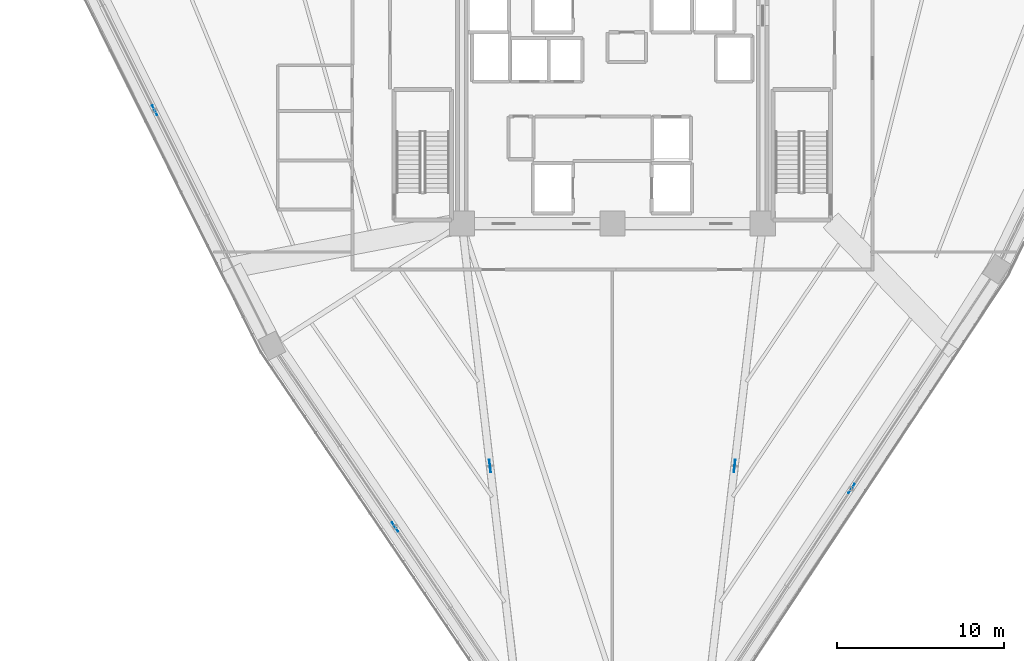
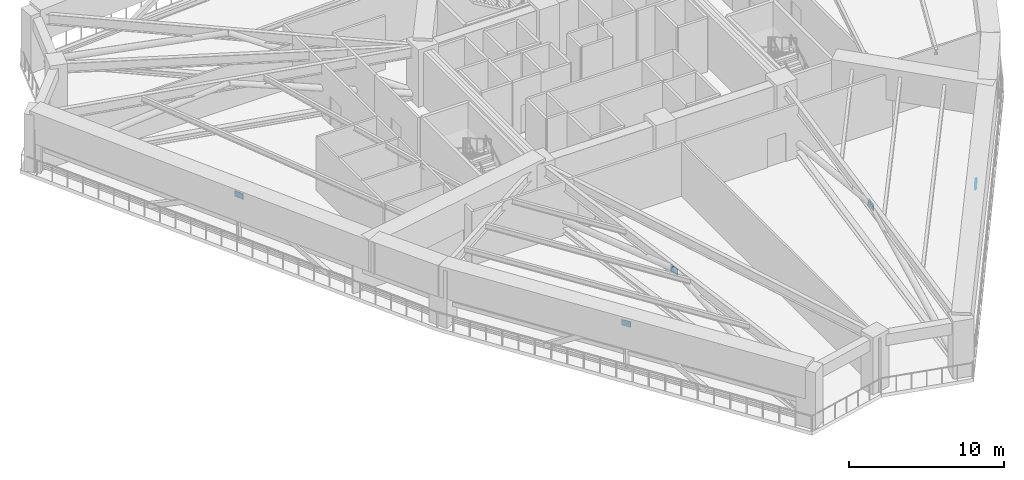
# One storey, part 13 of 27: 5 plates.
"""IFC4 building model written with IfcOpenShell, lengths in metres."""

import ifcopenshell
import ifcopenshell.guid

model = None  # the IFC model being written
_history = None  # IfcOwnerHistory: only IFC2X3 demands one
_inside = {}  # id of a spatial element -> (the spatial element, [elements in it])
_under = {}  # id of a project, library or spatial element -> (it, [spatial elements below it])
_declared = {}  # id of a project -> (the project, [libraries it declares])
_typed = {}  # id of a type object -> (the type object, [elements of that type])
_made_of = {}  # id of a material, layer set ... -> (it, [elements and type objects made of it])


def new_model(schema):
    """Start an empty IFC model of exactly this schema.

    Asked for "IFC4X3", IfcOpenShell would pick the latest addendum, in which some entities
    have other attributes; the version numbers below select the first issue.
    IFC2X3 requires an IfcOwnerHistory on every rooted entity: one is made here for all.
    """
    global model, _history
    if schema == "IFC4X3":
        model = ifcopenshell.file(schema_version=(4, 3, 0, 0))
    else:
        model = ifcopenshell.file(schema=schema)
    _inside.clear()
    _under.clear()
    _declared.clear()
    _typed.clear()
    _made_of.clear()
    _history = None
    if model.schema == "IFC2X3":
        org = make("IfcOrganization", Name="unknown")
        user = make(
            "IfcPersonAndOrganization",
            ThePerson=make("IfcPerson", FamilyName="unknown"),
            TheOrganization=org,
        )
        app = make(
            "IfcApplication",
            ApplicationDeveloper=org,
            Version="unknown",
            ApplicationFullName="unknown",
            ApplicationIdentifier="unknown",
        )
        _history = make(
            "IfcOwnerHistory",
            OwningUser=user,
            OwningApplication=app,
            ChangeAction="ADDED",
            CreationDate=0,
        )
    return model


def make(cls, **values):
    """One entity of the class cls with the attributes given. An attribute that is None is left unset."""
    return model.create_entity(
        cls, **{name: value for name, value in values.items() if value is not None}
    )


def rooted(cls, **values):
    """An entity with a GlobalId (a new one), such as an element, a storey or a relation."""
    return make(cls, GlobalId=ifcopenshell.guid.new(), OwnerHistory=_history, **values)


def si_unit(unit_type, name, prefix=None):
    """IfcSIUnit, for example si_unit("LENGTHUNIT", "METRE", prefix="MILLI")."""
    return make("IfcSIUnit", UnitType=unit_type, Prefix=prefix, Name=name)


def assignment(units):
    """IfcUnitAssignment: the units of a project."""
    return None if units is None else make("IfcUnitAssignment", Units=units)


def point(xyz):
    """IfcCartesianPoint."""
    return None if xyz is None else make("IfcCartesianPoint", Coordinates=xyz)


def direction(xyz):
    """IfcDirection."""
    return None if xyz is None else make("IfcDirection", DirectionRatios=xyz)


def frame(location, z_axis=None, x_axis=None):
    """IfcAxis2Placement3D, a coordinate frame: its origin and axes. An axis left out is left unset."""
    return make(
        "IfcAxis2Placement3D",
        Location=point(location),
        Axis=direction(z_axis),
        RefDirection=direction(x_axis),
    )


def frame_2d(location, x_axis=None):
    """IfcAxis2Placement2D, a coordinate frame in the plane: its origin and x axis."""
    return make(
        "IfcAxis2Placement2D", Location=point(location), RefDirection=direction(x_axis)
    )


def origin():
    """The frame at (0, 0, 0) with its axes left unset."""
    return frame((0.0, 0.0, 0.0))


def origin_2d():
    """The frame at (0, 0) in the plane with its x axis left unset."""
    return frame_2d((0.0, 0.0))


def place(relative_to, where):
    """IfcLocalPlacement: puts the frame where relative to a parent placement (None: the world)."""
    return make(
        "IfcLocalPlacement", PlacementRelTo=relative_to, RelativePlacement=where
    )


def context(
    kind, dimensions, precision=None, world=None, true_north=None, identifier=None
):
    """IfcGeometricRepresentationContext, for example the 3D "Model" context."""
    return make(
        "IfcGeometricRepresentationContext",
        ContextIdentifier=identifier,
        ContextType=kind,
        CoordinateSpaceDimension=dimensions,
        Precision=precision,
        WorldCoordinateSystem=world,
        TrueNorth=true_north,
    )


def subcontext(parent, identifier, kind, view, scale=None):
    """IfcGeometricRepresentationSubContext, for example "Body" below "Model"."""
    return make(
        "IfcGeometricRepresentationSubContext",
        ContextIdentifier=identifier,
        ContextType=kind,
        ParentContext=parent,
        TargetScale=scale,
        TargetView=view,
    )


def project(units=None, contexts=None):
    """IfcProject with its units and contexts."""
    return rooted(
        "IfcProject",
        Name="project",
        RepresentationContexts=contexts,
        UnitsInContext=assignment(units),
    )


def spatial(cls, under=None, at=None, **own):
    """A site, building, storey or space (cls), placed at a placement, below another one or the project."""
    s = rooted(cls, ObjectPlacement=at, **own)
    if under is not None:
        _under.setdefault(under.id(), (under, []))[1].append(s)
    return s


def profile(cls, at=None, kind="AREA", **sizes):
    """A parametric profile (cls). Its sizes go by their IFC names, for example OverallWidth=200.0."""
    return make(cls, ProfileType=kind, Position=at, **sizes)


def rectangle(**sizes):
    """IfcRectangleProfileDef."""
    return profile("IfcRectangleProfileDef", **sizes)


def extrude(swept, where, along, depth):
    """IfcExtrudedAreaSolid: the profile swept, set in the frame where, extruded along a direction by depth."""
    return make(
        "IfcExtrudedAreaSolid",
        SweptArea=swept,
        Position=where,
        ExtrudedDirection=direction(along),
        Depth=depth,
    )


def shape(context_of_items, identifier, shape_type, items):
    """IfcShapeRepresentation: the items that make up one representation, for example the "Body"."""
    return make(
        "IfcShapeRepresentation",
        ContextOfItems=context_of_items,
        RepresentationIdentifier=identifier,
        RepresentationType=shape_type,
        Items=items,
    )


def source(mapping_origin, context_of_items, identifier, shape_type, items):
    """IfcRepresentationMap: a shape defined once, which mapped items show again and again."""
    return make(
        "IfcRepresentationMap",
        MappingOrigin=mapping_origin,
        MappedRepresentation=shape(context_of_items, identifier, shape_type, items),
    )


def transform(
    local_origin,
    x_axis=None,
    y_axis=None,
    z_axis=None,
    scale=None,
    scale2=None,
    scale3=None,
    uniform=True,
):
    """IfcCartesianTransformationOperator3D, or its non-uniform kind. x_axis, y_axis, z_axis: its Axis1, 2, 3."""
    if uniform:
        return make(
            "IfcCartesianTransformationOperator3D",
            Axis1=direction(x_axis),
            Axis2=direction(y_axis),
            LocalOrigin=point(local_origin),
            Scale=scale,
            Axis3=direction(z_axis),
        )
    return make(
        "IfcCartesianTransformationOperator3DnonUniform",
        Axis1=direction(x_axis),
        Axis2=direction(y_axis),
        LocalOrigin=point(local_origin),
        Scale=scale,
        Axis3=direction(z_axis),
        Scale2=scale2,
        Scale3=scale3,
    )


def mapped(mapping_source, mapping_target):
    """IfcMappedItem: shows the shape of a source again, moved by a transform."""
    return make(
        "IfcMappedItem", MappingSource=mapping_source, MappingTarget=mapping_target
    )


def material(Name=None, Category=None):
    """IfcMaterial."""
    return make("IfcMaterial", Name=Name, Category=Category)


def layer(
    of_material, thickness, ventilated=None, Name=None, Category=None, Priority=None
):
    """IfcMaterialLayer: one layer of a wall or slab, of a material (None: an air gap)."""
    return make(
        "IfcMaterialLayer",
        Material=of_material,
        LayerThickness=thickness,
        IsVentilated=ventilated,
        Name=Name,
        Category=Category,
        Priority=Priority,
    )


def layer_set(layers, Name=None):
    """IfcMaterialLayerSet."""
    return make("IfcMaterialLayerSet", MaterialLayers=layers, LayerSetName=Name)


def made_of(thing, what):
    """Note that an element or type object is made of a material, layer set ...; save() writes the relation."""
    if what is not None:
        _made_of.setdefault(what.id(), (what, []))[1].append(thing)
    return thing


def type_object(cls, material=None, **own):
    """A type object (cls), such as IfcWallType, which elements share."""
    return made_of(rooted(cls, **own), material)


def element(
    cls,
    number,
    at=None,
    inside=None,
    cuts=None,
    type_object=None,
    material=None,
    context=None,
    identifier="Body",
    shape_type=None,
    held_by="IfcProductDefinitionShape",
    body=None,
    shapes=None,
    **own,
):
    """One element of the class cls, such as IfcWall. Its Tag is "e" and its number.

    at: its placement. inside: the storey or other place that contains it. cuts: it is an
    opening in that element (IfcRelVoidsElement). A single representation is given by context,
    identifier, shape_type and body (its items); several are given by shapes. held_by: the class
    of the entity that holds the representations. save() writes the other relations.
    """
    e = rooted(cls, Tag="e%d" % number, ObjectPlacement=at, **own)
    if body is not None:
        shapes = [shape(context, identifier, shape_type, body)]
    if shapes is not None:
        e.Representation = make(held_by, Representations=shapes)
    if inside is not None:
        _inside.setdefault(inside.id(), (inside, []))[1].append(e)
    if cuts is not None:
        rooted(
            "IfcRelVoidsElement", RelatingBuildingElement=cuts, RelatedOpeningElement=e
        )
    if type_object is not None:
        _typed.setdefault(type_object.id(), (type_object, []))[1].append(e)
    return made_of(e, material)


def aggregate(whole, parts):
    """IfcRelAggregates: a whole, such as a stair, and the parts it consists of."""
    return rooted("IfcRelAggregates", RelatingObject=whole, RelatedObjects=parts)


def save(model, path):
    """Write the relations noted so far, then the file.

    IfcRelAggregates (storeys below a building ...), IfcRelContainedInSpatialStructure (elements
    in a storey), IfcRelDefinesByType, IfcRelAssociatesMaterial and IfcRelDeclares: one each for
    every whole, place, type object, material and project.
    """
    for whole, parts in _under.values():
        aggregate(whole, parts)
    for where, things in _inside.values():
        rooted(
            "IfcRelContainedInSpatialStructure",
            RelatedElements=things,
            RelatingStructure=where,
        )
    for kind, things in _typed.values():
        rooted("IfcRelDefinesByType", RelatedObjects=things, RelatingType=kind)
    for what, things in _made_of.values():
        rooted("IfcRelAssociatesMaterial", RelatedObjects=things, RelatingMaterial=what)
    for by, libraries in _declared.values():
        rooted("IfcRelDeclares", RelatingContext=by, RelatedDefinitions=libraries)
    model.write(path)


model = new_model("IFC4")

# Units and contexts
model_context = context("Model", 3, precision=1e-05, world=origin(), true_north=direction((0.0, 1.0)))
body_context = subcontext(model_context, "Body", "Model", "MODEL_VIEW")
ifc_project = project(units=[si_unit("LENGTHUNIT", "METRE"), si_unit("AREAUNIT", "SQUARE_METRE"), si_unit("VOLUMEUNIT", "CUBIC_METRE"), si_unit("PLANEANGLEUNIT", "RADIAN"), si_unit("MASSUNIT", "GRAM", prefix="KILO")], contexts=[model_context])

# Site, building, storey
site_placement = place(None, origin())
site = spatial("IfcSite", under=ifc_project, at=site_placement, CompositionType="ELEMENT")
building_placement = place(site_placement, origin())
building = spatial("IfcBuilding", under=site, at=building_placement, Name="Liaohun Quay Tower", CompositionType="ELEMENT")
storey_placement = place(building_placement, frame((0.0, 0.0, 185.25)))
storey = spatial("IfcBuildingStorey", under=building, at=storey_placement, Name="L48", CompositionType="ELEMENT", Elevation=185.25)

# Plates
ifc_material = material(Name="Steel Q420D outrigger node gusset plate", Category="steel")
ifc_layer = layer(ifc_material, 0.0400390625, Name="Steel Q420D outrigger node gusset plate", Category="steel")
ifc_layer_set = layer_set([ifc_layer], Name="Steel Q420D outrigger node gusset plate")
plate_type = type_object("IfcPlateType", Name="PLT-GUS-OUT", PredefinedType="USERDEFINED", material=ifc_layer_set)
shared_shape_1 = source(origin(), body_context, "Body", "SweptSolid", [
    extrude(rectangle(XDim=0.75, YDim=0.0400390625, at=origin_2d()), origin(), (0.0, 0.0, 1.0), 0.5),
])
for number, where, z_axis, x_axis, name in (
    (1, (52.680908203125, 32.001953125, 3.570068359375), (0.0, 0.0, 1.0), (0.115110524996, -0.993352690153, 0.0), "L48 Outrigger Node Gusset Plate GP1-01"),
    (2, (67.31591796875, 32.0029296875, 3.570068359375), (0.0, 0.0, 1.0), (-0.115457263478, -0.993312448482, 0.0), "L48 Outrigger Node Gusset Plate GP1-06"),
):
    element("IfcPlate", number, at=place(storey_placement, frame(where, z_axis=z_axis, x_axis=x_axis)), inside=storey, type_object=plate_type, Name=name, ObjectType="GUSSET PLATE", PredefinedType="USERDEFINED", context=body_context, shape_type="MappedRepresentation", body=[
        mapped(shared_shape_1, transform((0.0, 0.0, 0.0), x_axis=(1.0, 0.0, 0.0), y_axis=(0.0, 1.0, 0.0), z_axis=(0.0, 0.0, 1.0), scale=1.0)),
    ])
shared_shape_2 = source(origin(), body_context, "Body", "SweptSolid", [
    extrude(rectangle(XDim=0.64990234375, YDim=0.035888671875, at=origin_2d()), origin(), (0.0, 0.0, 1.0), 0.449951171875),
])
for number, where, z_axis, x_axis, name in (
    (3, (47.001953125, 28.34912109375, 3.59521484375), (0.0, 0.0, 1.0), (-0.561505829755, 0.827472780913, 0.0), "L48 Belt Truss Node Gusset Plate GP1-B01"),
    (4, (32.611083984375, 53.281982421875, 3.59521484375), (0.0, 0.0, 1.0), (-0.446510176944, 0.894778554664, 0.0), "L48 Belt Truss Node Gusset Plate GP1-B02"),
    (5, (74.31591796875, 30.639892578125, 3.59521484375), (0.0, 0.0, 1.0), (-0.551645870628, -0.834078433613, 0.0), "L48 Belt Truss Node Gusset Plate GP1-B06"),
):
    element("IfcPlate", number, at=place(storey_placement, frame(where, z_axis=z_axis, x_axis=x_axis)), inside=storey, type_object=plate_type, Name=name, ObjectType="GUSSET PLATE", PredefinedType="USERDEFINED", context=body_context, shape_type="MappedRepresentation", body=[
        mapped(shared_shape_2, transform((0.0, 0.0, 0.0), x_axis=(1.0, 0.0, 0.0), y_axis=(0.0, 1.0, 0.0), z_axis=(0.0, 0.0, 1.0), scale=1.0)),
    ])

save(model, "model.ifc")
